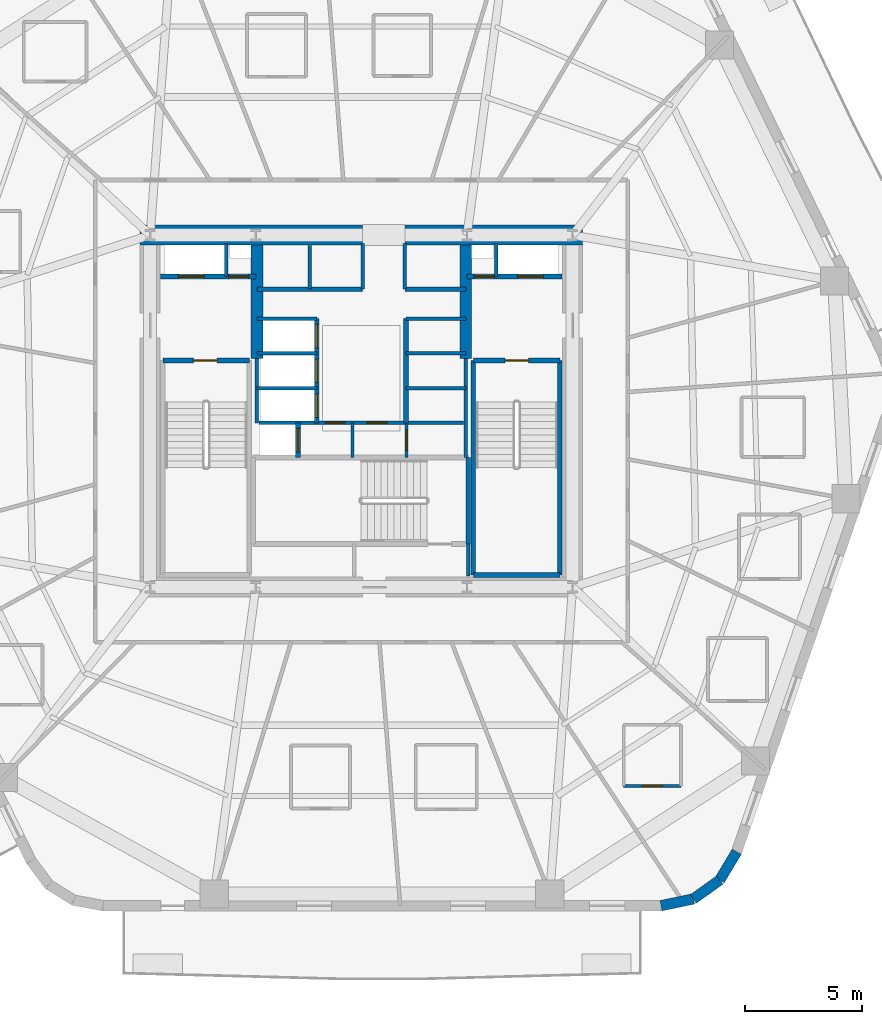
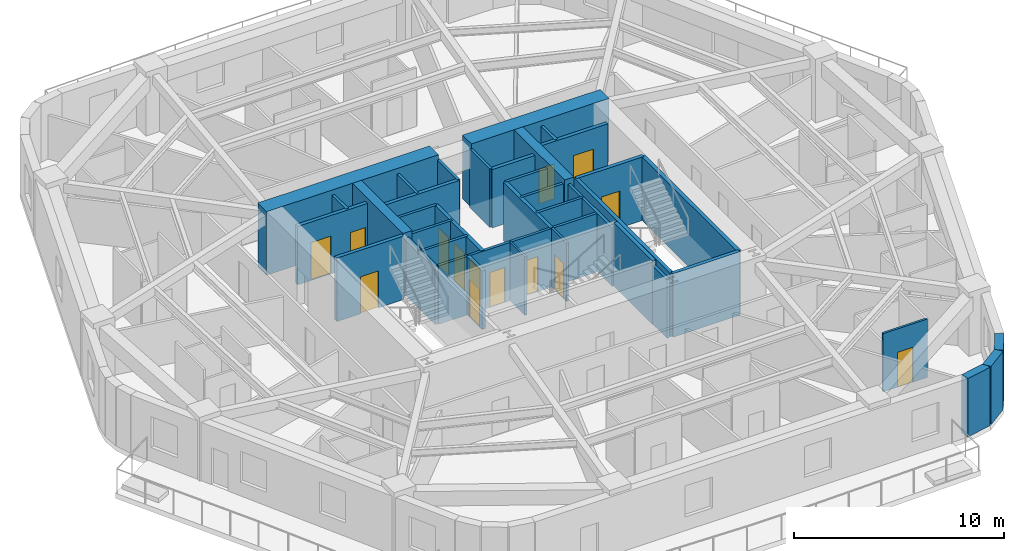
# One storey, part 4 of 10: 38 walls, 14 doors, 14 openings.
"""IFC4 building model written with IfcOpenShell, lengths in metres."""

from ifc_helpers import new_model, si_unit, direction, frame, frame_2d, origin, place, context, subcontext, project, spatial, rectangle, extrude, material, layer, layer_set, type_object, element, fill, save


model = new_model("IFC4")

# Units and contexts
model_context = context("Model", 3, precision=1e-05, world=origin(), true_north=direction((0.0, 1.0)))
body_context = subcontext(model_context, "Body", "Model", "MODEL_VIEW")
ifc_project = project(units=[si_unit("LENGTHUNIT", "METRE"), si_unit("AREAUNIT", "SQUARE_METRE"), si_unit("VOLUMEUNIT", "CUBIC_METRE"), si_unit("PLANEANGLEUNIT", "RADIAN"), si_unit("MASSUNIT", "GRAM", prefix="KILO")], contexts=[model_context])

# Site, building, storey
site_placement = place(None, origin())
site = spatial("IfcSite", under=ifc_project, at=site_placement, CompositionType="ELEMENT")
building_placement = place(site_placement, origin())
building = spatial("IfcBuilding", under=site, at=building_placement, Name="Kilnhurst Terrace Hotel", CompositionType="ELEMENT")
storey_placement = place(building_placement, frame((0.0, 0.0, 91.39990234375)))
storey = spatial("IfcBuildingStorey", under=building, at=storey_placement, Name="L21", CompositionType="ELEMENT", Elevation=91.39990234375)

# Walls
ifc_material_1 = material(Name="Precast concrete C40/50", Category="concrete")
ifc_layer_1 = layer(ifc_material_1, 0.449951171875, Name="Precast concrete C40/50")
ifc_layer_set_1 = layer_set([ifc_layer_1], Name="Precast concrete C40/50")
wall_type_1 = type_object("IfcWallType", Name="WL-BRK-450", PredefinedType="SOLIDWALL", material=ifc_layer_set_1)
wall_1_placement = place(storey_placement, frame((12.7705078125, -21.074951171875, 0.0), z_axis=(0.0, 0.0, 1.0), x_axis=(0.97874281988, 0.205091424819, 0.0)))
element("IfcWall", 1, at=wall_1_placement, inside=storey, type_object=wall_type_1, Name="L21 Rounded Corner Brick Wall C2.1", PredefinedType="SOLIDWALL", context=body_context, shape_type="SweptSolid", body=[
    extrude(rectangle(XDim=1.40576171875, YDim=0.449951171875, at=frame_2d((0.702880859375, 0.0))), origin(), (0.0, 0.0, 1.0), 3.400146484375),
])
wall_2_placement = place(storey_placement, frame((14.146484375, -20.78662109375, 0.0), z_axis=(0.0, 0.0, 1.0), x_axis=(0.814162929117, 0.580636482536, 0.0)))
element("IfcWall", 2, at=wall_2_placement, inside=storey, type_object=wall_type_1, Name="L21 Rounded Corner Brick Wall C2.2", PredefinedType="SOLIDWALL", context=body_context, shape_type="SweptSolid", body=[
    extrude(rectangle(XDim=1.382080078125, YDim=0.449951171875, at=frame_2d((0.69091796875, 0.0))), origin(), (0.0, 0.0, 1.0), 3.400146484375),
])
wall_3_placement = place(storey_placement, frame((15.271728515625, -19.984130859375, 0.0), z_axis=(0.0, 0.0, 1.0), x_axis=(0.512579347361, 0.858639862025, 0.0)))
element("IfcWall", 3, at=wall_3_placement, inside=storey, type_object=wall_type_1, Name="L21 Rounded Corner Brick Wall C2.3", PredefinedType="SOLIDWALL", context=body_context, shape_type="SweptSolid", body=[
    extrude(rectangle(XDim=1.406005859375, YDim=0.449951171875, at=frame_2d((0.703125, 0.0))), origin(), (0.0, 0.0, 1.0), 3.400146484375),
])
ifc_material_2 = material(Name="Concrete C80/95", Category="concrete")
ifc_layer_2 = layer(ifc_material_2, 0.85009765625, Name="Concrete C80/95")
ifc_layer_set_2 = layer_set([ifc_layer_2], Name="Concrete C80/95")
wall_type_2 = type_object("IfcWallType", Name="WL-CORE-850", PredefinedType="SHEAR", material=ifc_layer_set_2)
wall_4_placement = place(storey_placement, frame((-9.425048828125, 7.5, 0.0), z_axis=(0.0, 0.0, 1.0), x_axis=(1.0, 0.0, 0.0)))
element("IfcWall", 4, at=wall_4_placement, inside=storey, type_object=wall_type_2, Name="L21 Core North West Shear Wall", PredefinedType="SHEAR", context=body_context, shape_type="SweptSolid", body=[
    extrude(rectangle(XDim=9.47509765625, YDim=0.85009765625, at=frame_2d((4.737548828125, 0.0))), origin(), (0.0, 0.0, 1.0), 3.7001953125),
])
wall_5_placement = place(storey_placement, frame((1.85009765625, 7.5, 0.0), z_axis=(0.0, 0.0, 1.0), x_axis=(1.0, 0.0, 0.0)))
element("IfcWall", 5, at=wall_5_placement, inside=storey, type_object=wall_type_2, Name="L21 Core North East Shear Wall", PredefinedType="SHEAR", context=body_context, shape_type="SweptSolid", body=[
    extrude(rectangle(XDim=7.574951171875, YDim=0.85009765625, at=frame_2d((3.78759765625, 0.0))), origin(), (0.0, 0.0, 1.0), 3.7001953125),
])
ifc_material_3 = material(Name="Concrete C60/75", Category="concrete")
ifc_layer_3 = layer(ifc_material_3, 0.5, Name="Concrete C60/75")
ifc_layer_set_3 = layer_set([ifc_layer_3], Name="Concrete C60/75")
wall_type_3 = type_object("IfcWallType", Name="WL-CORE-WEB-500", PredefinedType="SHEAR", material=ifc_layer_set_3)
for number, where, z_axis, x_axis, name in (
    (6, (-4.449951171875, 2.25, 0.0), (0.0, 0.0, 1.0), (0.0, 1.0, 0.0), "L21 Core Internal West Shear Web"),
    (7, (4.449951171875, 2.25, 0.0), (0.0, 0.0, 1.0), (0.0, 1.0, 0.0), "L21 Core Internal East Shear Web"),
):
    element("IfcWall", number, at=place(storey_placement, frame(where, z_axis=z_axis, x_axis=x_axis)), inside=storey, type_object=wall_type_3, Name=name, PredefinedType="SHEAR", context=body_context, shape_type="SweptSolid", body=[
        extrude(rectangle(XDim=4.824951171875, YDim=0.5, at=frame_2d((2.41259765625, 0.0))), origin(), (0.0, 0.0, 1.0), 3.7001953125),
    ])
ifc_material_4 = material(Name="120 mm Moisture-Resistant Tile-Backed Bathroom Partition")
ifc_layer_4 = layer(ifc_material_4, 0.1201171875, Name="120 mm Moisture-Resistant Tile-Backed Bathroom Partition")
ifc_layer_set_4 = layer_set([ifc_layer_4], Name="120 mm Moisture-Resistant Tile-Backed Bathroom Partition")
wall_type_4 = type_object("IfcWallType", Name="WL-PART-120", PredefinedType="PARTITIONING", material=ifc_layer_set_4)
wall_6_placement = place(storey_placement, frame((-0.3798828125, -1.971923828125, 0.0), z_axis=(0.0, 0.0, 1.0), x_axis=(0.0, 1.0, 0.0)))
element("IfcWall", 8, at=wall_6_placement, inside=storey, type_object=wall_type_4, Name="L21 Interior Wall WL-L21-BOH-C1", PredefinedType="PARTITIONING", context=body_context, shape_type="SweptSolid", body=[
    extrude(rectangle(XDim=1.471923828125, YDim=0.1201171875, at=frame_2d((0.73583984375, 0.0))), origin(), (0.0, 0.0, 1.0), 3.400146484375),
])

# Wall, opening, door
wall_7_placement = place(storey_placement, frame((1.919921875, -1.971923828125, 0.0), z_axis=(0.0, 0.0, 1.0), x_axis=(0.0, 1.0, 0.0)))
wall_7 = element("IfcWall", 9, at=wall_7_placement, inside=storey, type_object=wall_type_4, Name="L21 Interior Wall WL-L21-BOH-C2", PredefinedType="PARTITIONING", context=body_context, shape_type="SweptSolid", body=[
    extrude(rectangle(XDim=1.471923828125, YDim=0.1201171875, at=frame_2d((0.73583984375, 0.0))), origin(), (0.0, 0.0, 1.0), 3.400146484375),
])
opening_1_placement = place(wall_7_placement, frame((0.300048828125, 0.0, 0.0)))
opening_1 = element("IfcOpeningElement", 10, at=opening_1_placement, cuts=wall_7, Name="Opening D-08A", PredefinedType="OPENING", context=body_context, shape_type="SweptSolid", body=[
    extrude(rectangle(XDim=0.85009765625, YDim=2.030029296875, at=frame_2d((0.425048828125, 1.01513671875))), frame((0.0, 0.070068359375, 0.0), z_axis=(0.0, -1.0, 0.0), x_axis=(1.0, 0.0, 0.0)), (0.0, 0.0, 1.0), 0.14013671875),
])
ifc_material_5 = material(Name="Moisture-Resistant Lacquered En-suite Bathroom Door")
door_type_1 = type_object("IfcDoorType", Name="DR-INT-850", OperationType="NOTDEFINED", PredefinedType="DOOR", material=ifc_material_5)
door_1_placement = place(opening_1_placement, origin())
door_1 = element("IfcDoor", 11, at=door_1_placement, inside=storey, type_object=door_type_1, Name="L21 Staff Restroom Door", OperationType="SINGLE_SWING_RIGHT", OverallHeight=2.030029296875, OverallWidth=0.85009765625, PredefinedType="DOOR", context=body_context, shape_type="SweptSolid", body=[
    extrude(rectangle(XDim=0.85009765625, YDim=2.030029296875, at=frame_2d((0.425048828125, 1.01513671875))), frame((0.0, 0.02490234375, 0.0), z_axis=(0.0, -1.0, 0.0), x_axis=(1.0, 0.0, 0.0)), (0.0, 0.0, 1.0), 0.050048828125),
])
fill(opening_1, door_1)

wall_8_placement = place(storey_placement, frame((11.177978515625, -15.97412109375, 0.0), z_axis=(0.0, 0.0, 1.0), x_axis=(1.0, 0.0, 0.0)))
wall_8 = element("IfcWall", 12, at=wall_8_placement, inside=storey, type_object=wall_type_4, Name="L21 Interior Wall WL-L21-BTH-17-1", PredefinedType="PARTITIONING", context=body_context, shape_type="SweptSolid", body=[
    extrude(rectangle(XDim=2.43994140625, YDim=0.1201171875, at=frame_2d((1.219970703125, 0.0))), origin(), (0.0, 0.0, 1.0), 3.400146484375),
])
opening_2_placement = place(wall_8_placement, frame((0.794921875, 0.0, 0.0)))
opening_2 = element("IfcOpeningElement", 13, at=opening_2_placement, cuts=wall_8, Name="Opening D-08A", PredefinedType="OPENING", context=body_context, shape_type="SweptSolid", body=[
    extrude(rectangle(XDim=0.85009765625, YDim=2.030029296875, at=frame_2d((0.425048828125, 1.01513671875))), frame((0.0, 0.070068359375, 0.0), z_axis=(0.0, -1.0, 0.0), x_axis=(1.0, 0.0, 0.0)), (0.0, 0.0, 1.0), 0.14013671875),
])
door_2_placement = place(opening_2_placement, origin())
door_2 = element("IfcDoor", 14, at=door_2_placement, inside=storey, type_object=door_type_1, Name="L21 En-suite Bathroom Door 17", OperationType="SINGLE_SWING_RIGHT", OverallHeight=2.030029296875, OverallWidth=0.85009765625, PredefinedType="DOOR", context=body_context, shape_type="SweptSolid", body=[
    extrude(rectangle(XDim=0.85009765625, YDim=2.030029296875, at=frame_2d((0.425048828125, 1.01513671875))), frame((0.0, 0.02490234375, 0.0), z_axis=(0.0, -1.0, 0.0), x_axis=(1.0, 0.0, 0.0)), (0.0, 0.0, 1.0), 0.050048828125),
])
fill(opening_2, door_2)

# Walls
ifc_material_6 = material(Name="Fire-Rated Gypsum Shaftliner Assembly")
ifc_layer_5 = layer(ifc_material_6, 0.14990234375, Name="Fire-Rated Gypsum Shaftliner Assembly")
ifc_layer_set_5 = layer_set([ifc_layer_5], Name="Fire-Rated Gypsum Shaftliner Assembly")
wall_type_5 = type_object("IfcWallType", Name="WL-SHAFT-150", PredefinedType="PARTITIONING", material=ifc_layer_set_5)
wall_9_placement = place(storey_placement, frame((4.55810546875, -7.02001953125, 0.0), z_axis=(0.0, 0.0, 1.0), x_axis=(0.0, 1.0, 0.0)))
element("IfcWall", 15, at=wall_9_placement, inside=storey, type_object=wall_type_5, Name="L21 Interior Wall WL-L21-ST3-PSGE", PredefinedType="PARTITIONING", context=body_context, shape_type="SweptSolid", body=[
    extrude(rectangle(XDim=1.362060546875, YDim=0.14990234375, at=frame_2d((0.68115234375, 0.0))), origin(), (0.0, 0.0, 1.0), 3.400146484375),
])
for number, where, z_axis, x_axis, name in (
    (16, (-5.75, 5.739990234375, 0.0), (0.0, 0.0, 1.0), (0.0, 1.0, 0.0), "L21 Interior Wall WL-L21-RIS1-DIV"),
    (17, (5.75, 5.739990234375, 0.0), (0.0, 0.0, 1.0), (0.0, 1.0, 0.0), "L21 Interior Wall WL-L21-RIS2-DIV"),
):
    element("IfcWall", number, at=place(storey_placement, frame(where, z_axis=z_axis, x_axis=x_axis)), inside=storey, type_object=wall_type_5, Name=name, PredefinedType="PARTITIONING", context=body_context, shape_type="SweptSolid", body=[
        extrude(rectangle(XDim=1.409912109375, YDim=0.14990234375, at=frame_2d((0.705078125, 0.0))), origin(), (0.0, 0.0, 1.0), 3.400146484375),
    ])
wall_10_placement = place(storey_placement, frame((-2.199951171875, 5.199951171875, 0.0), z_axis=(0.0, 0.0, 1.0), x_axis=(0.0, 1.0, 0.0)))
element("IfcWall", 18, at=wall_10_placement, inside=storey, type_object=wall_type_5, Name="L21 Interior Wall WL-L21-HR-DIV1", PredefinedType="PARTITIONING", context=body_context, shape_type="SweptSolid", body=[
    extrude(rectangle(XDim=1.85009765625, YDim=0.14990234375, at=frame_2d((0.925048828125, 0.0))), origin(), (0.0, 0.0, 1.0), 3.400146484375),
])
for number, where, z_axis, x_axis, name in (
    (19, (0.050048828125, 5.199951171875, 0.0), (0.0, 0.0, 1.0), (0.0, 1.0, 0.0), "L21 Interior Wall WL-L21-HR-PORTAL-W"),
    (20, (1.85009765625, 5.199951171875, 0.0), (0.0, 0.0, 1.0), (0.0, 1.0, 0.0), "L21 Interior Wall WL-L21-HR-PORTAL-E"),
):
    element("IfcWall", number, at=place(storey_placement, frame(where, z_axis=z_axis, x_axis=x_axis)), inside=storey, type_object=wall_type_5, Name=name, PredefinedType="PARTITIONING", context=body_context, shape_type="SweptSolid", body=[
        extrude(rectangle(XDim=1.949951171875, YDim=0.14990234375, at=frame_2d((0.97509765625, 0.0))), origin(), (0.0, 0.0, 1.0), 3.400146484375),
    ])
wall_11_placement = place(storey_placement, frame((-4.449951171875, -0.5, 0.0), z_axis=(0.0, 0.0, 1.0), x_axis=(0.0, 1.0, 0.0)))
element("IfcWall", 21, at=wall_11_placement, inside=storey, type_object=wall_type_5, Name="L21 Interior Wall WL-L21-XLOB-W", PredefinedType="PARTITIONING", context=body_context, shape_type="SweptSolid", body=[
    extrude(rectangle(XDim=2.75, YDim=0.14990234375, at=frame_2d((1.375, 0.0))), origin(), (0.0, 0.0, 1.0), 3.400146484375),
])
wall_12_placement = place(storey_placement, frame((4.449951171875, -1.971923828125, 0.0), z_axis=(0.0, 0.0, 1.0), x_axis=(0.0, 1.0, 0.0)))
element("IfcWall", 22, at=wall_12_placement, inside=storey, type_object=wall_type_5, Name="L21 Interior Wall WL-L21-XLOB-E", PredefinedType="PARTITIONING", context=body_context, shape_type="SweptSolid", body=[
    extrude(rectangle(XDim=4.221923828125, YDim=0.14990234375, at=frame_2d((2.11083984375, 0.0))), origin(), (0.0, 0.0, 1.0), 3.400146484375),
])
for number, where, z_axis, x_axis, name in (
    (23, (-4.449951171875, 3.93994140625, 0.0), (0.0, 0.0, 1.0), (1.0, 0.0, 0.0), "L21 Interior Wall WL-L21-LR-NORTH"),
    (24, (-4.449951171875, 0.97998046875, 0.0), (0.0, 0.0, 1.0), (1.0, 0.0, 0.0), "L21 Interior Wall WL-L21-LR-D1"),
    (25, (-4.449951171875, 2.4599609375, 0.0), (0.0, 0.0, 1.0), (1.0, 0.0, 0.0), "L21 Interior Wall WL-L21-LR-D2"),
    (26, (1.89990234375, 3.93994140625, 0.0), (0.0, 0.0, 1.0), (1.0, 0.0, 0.0), "L21 Interior Wall WL-L21-MR-NORTH"),
    (27, (1.89990234375, 0.97998046875, 0.0), (0.0, 0.0, 1.0), (1.0, 0.0, 0.0), "L21 Interior Wall WL-L21-MR-D1"),
    (28, (1.89990234375, 2.4599609375, 0.0), (0.0, 0.0, 1.0), (1.0, 0.0, 0.0), "L21 Interior Wall WL-L21-MR-D2"),
):
    element("IfcWall", number, at=place(storey_placement, frame(where, z_axis=z_axis, x_axis=x_axis)), inside=storey, type_object=wall_type_5, Name=name, PredefinedType="PARTITIONING", context=body_context, shape_type="SweptSolid", body=[
        extrude(rectangle(XDim=2.550048828125, YDim=0.14990234375, at=frame_2d((1.27490234375, 0.0))), origin(), (0.0, 0.0, 1.0), 3.400146484375),
    ])

# Wall, openings, doors
wall_13_placement = place(storey_placement, frame((-4.360107421875, -0.489990234375, 0.0), z_axis=(0.0, 0.0, 1.0), x_axis=(1.0, 0.0, 0.0)))
wall_13 = element("IfcWall", 29, at=wall_13_placement, inside=storey, type_object=wall_type_5, Name="L21 Interior Wall WL-L21-BOH-N", PredefinedType="PARTITIONING", context=body_context, shape_type="SweptSolid", body=[
    extrude(rectangle(XDim=8.72021484375, YDim=0.14990234375, at=frame_2d((4.360107421875, 0.0))), origin(), (0.0, 0.0, 1.0), 3.400146484375),
])
opening_3_placement = place(wall_13_placement, frame((2.81005859375, 0.0, 0.0)))
opening_3 = element("IfcOpeningElement", 30, at=opening_3_placement, cuts=wall_13, Name="Opening D-60D", PredefinedType="OPENING", context=body_context, shape_type="SweptSolid", body=[
    extrude(rectangle(XDim=0.85009765625, YDim=2.030029296875, at=frame_2d((0.425048828125, 1.01513671875))), frame((0.0, 0.0849609375, 0.0), z_axis=(0.0, -1.0, 0.0), x_axis=(1.0, 0.0, 0.0)), (0.0, 0.0, 1.0), 0.169921875),
])
opening_4_placement = place(wall_13_placement, frame((4.610107421875, 0.0, 0.0)))
opening_4 = element("IfcOpeningElement", 31, at=opening_4_placement, cuts=wall_13, Name="Opening D-60D", PredefinedType="OPENING", context=body_context, shape_type="SweptSolid", body=[
    extrude(rectangle(XDim=0.85009765625, YDim=2.030029296875, at=frame_2d((0.425048828125, 1.01513671875))), frame((0.0, 0.0849609375, 0.0), z_axis=(0.0, -1.0, 0.0), x_axis=(1.0, 0.0, 0.0)), (0.0, 0.0, 1.0), 0.169921875),
])
ifc_material_7 = material(Name="Painted Hollow Metal Steel ASTM A36 Riser Door", Category="steel")
door_type_2 = type_object("IfcDoorType", Name="DR-FD60-850", OperationType="NOTDEFINED", PredefinedType="DOOR", material=ifc_material_7)
door_3_placement = place(opening_3_placement, origin())
door_3 = element("IfcDoor", 32, at=door_3_placement, inside=storey, type_object=door_type_2, Name="L21 Housekeeping Station Door", OperationType="SINGLE_SWING_LEFT", OverallHeight=2.030029296875, OverallWidth=0.85009765625, PredefinedType="DOOR", context=body_context, shape_type="SweptSolid", body=[
    extrude(rectangle(XDim=0.85009765625, YDim=2.030029296875, at=frame_2d((0.425048828125, 1.01513671875))), frame((0.0, 0.02490234375, 0.0), z_axis=(0.0, -1.0, 0.0), x_axis=(1.0, 0.0, 0.0)), (0.0, 0.0, 1.0), 0.050048828125),
])
fill(opening_3, door_3)
door_4_placement = place(opening_4_placement, origin())
door_4 = element("IfcDoor", 33, at=door_4_placement, inside=storey, type_object=door_type_2, Name="L21 Beverage Pantry Door", OperationType="SINGLE_SWING_RIGHT", OverallHeight=2.030029296875, OverallWidth=0.85009765625, PredefinedType="DOOR", context=body_context, shape_type="SweptSolid", body=[
    extrude(rectangle(XDim=0.85009765625, YDim=2.030029296875, at=frame_2d((0.425048828125, 1.01513671875))), frame((0.0, 0.02490234375, 0.0), z_axis=(0.0, -1.0, 0.0), x_axis=(1.0, 0.0, 0.0)), (0.0, 0.0, 1.0), 0.050048828125),
])
fill(opening_4, door_4)

ifc_material_8 = material(Name="Autoclaved Aerated Concrete C30/37 and Gypsum Shaft Assembly", Category="concrete")
ifc_layer_6 = layer(ifc_material_8, 0.199951171875, Name="Autoclaved Aerated Concrete C30/37 and Gypsum Shaft Assembly")
ifc_layer_set_6 = layer_set([ifc_layer_6], Name="Autoclaved Aerated Concrete C30/37 and Gypsum Shaft Assembly")
wall_type_6 = type_object("IfcWallType", Name="WL-SHAFT-200", PredefinedType="PARTITIONING", material=ifc_layer_set_6)
wall_14_placement = place(storey_placement, frame((-8.550048828125, 5.739990234375, 0.0), z_axis=(0.0, 0.0, 1.0), x_axis=(1.0, 0.0, 0.0)))
wall_14 = element("IfcWall", 34, at=wall_14_placement, inside=storey, type_object=wall_type_6, Name="L21 Interior Wall WL-L21-FSAE1-S", PredefinedType="PARTITIONING", context=body_context, shape_type="SweptSolid", body=[
    extrude(rectangle(XDim=4.050048828125, YDim=0.199951171875, at=frame_2d((2.02490234375, 0.0))), origin(), (0.0, 0.0, 1.0), 3.400146484375),
])
opening_5_placement = place(wall_14_placement, frame((0.75, 0.0, 0.0)))
opening_5 = element("IfcOpeningElement", 35, at=opening_5_placement, cuts=wall_14, Name="Opening LD-F1", PredefinedType="OPENING", context=body_context, shape_type="SweptSolid", body=[
    extrude(rectangle(XDim=1.10009765625, YDim=2.199951171875, at=frame_2d((0.550048828125, 1.10009765625))), frame((0.0, 0.10986328125, 0.0), z_axis=(0.0, -1.0, 0.0), x_axis=(1.0, 0.0, 0.0)), (0.0, 0.0, 1.0), 0.219970703125),
])
opening_6_placement = place(wall_14_placement, frame((2.89990234375, 0.0, 0.0)))
opening_6 = element("IfcOpeningElement", 36, at=opening_6_placement, cuts=wall_14, Name="Opening D-60D", PredefinedType="OPENING", context=body_context, shape_type="SweptSolid", body=[
    extrude(rectangle(XDim=0.85009765625, YDim=2.030029296875, at=frame_2d((0.425048828125, 1.01513671875))), frame((0.0, 0.10986328125, 0.0), z_axis=(0.0, -1.0, 0.0), x_axis=(1.0, 0.0, 0.0)), (0.0, 0.0, 1.0), 0.219970703125),
])
door_5_placement = place(opening_6_placement, origin())
door_5 = element("IfcDoor", 37, at=door_5_placement, inside=storey, type_object=door_type_2, Name="L21 Electrical Riser Door", OperationType="SINGLE_SWING_LEFT", OverallHeight=2.030029296875, OverallWidth=0.85009765625, PredefinedType="DOOR", context=body_context, shape_type="SweptSolid", body=[
    extrude(rectangle(XDim=0.85009765625, YDim=2.030029296875, at=frame_2d((0.425048828125, 1.01513671875))), frame((0.0, 0.02490234375, 0.0), z_axis=(0.0, -1.0, 0.0), x_axis=(1.0, 0.0, 0.0)), (0.0, 0.0, 1.0), 0.050048828125),
])
fill(opening_6, door_5)
ifc_material_9 = material(Name="Bronze-Anodized Stainless Steel AISI 316L Sliding Door", Category="steel")
door_type_3 = type_object("IfcDoorType", Name="DR-LIFT-1100", OperationType="NOTDEFINED", PredefinedType="DOOR", material=ifc_material_9)
door_6_placement = place(opening_5_placement, origin())
door_6 = element("IfcDoor", 38, at=door_6_placement, inside=storey, type_object=door_type_3, Name="L21 FSAE-1 Landing Door", OperationType="SLIDING_TO_LEFT", OverallHeight=2.199951171875, OverallWidth=1.10009765625, PredefinedType="DOOR", context=body_context, shape_type="SweptSolid", body=[
    extrude(rectangle(XDim=1.10009765625, YDim=2.199951171875, at=frame_2d((0.550048828125, 1.10009765625))), frame((0.0, 0.02490234375, 0.0), z_axis=(0.0, -1.0, 0.0), x_axis=(1.0, 0.0, 0.0)), (0.0, 0.0, 1.0), 0.050048828125),
])
fill(opening_5, door_6)

wall_15_placement = place(storey_placement, frame((4.5, 5.739990234375, 0.0), z_axis=(0.0, 0.0, 1.0), x_axis=(1.0, 0.0, 0.0)))
wall_15 = element("IfcWall", 39, at=wall_15_placement, inside=storey, type_object=wall_type_6, Name="L21 Interior Wall WL-L21-FSAE2-S", PredefinedType="PARTITIONING", context=body_context, shape_type="SweptSolid", body=[
    extrude(rectangle(XDim=4.050048828125, YDim=0.199951171875, at=frame_2d((2.02490234375, 0.0))), origin(), (0.0, 0.0, 1.0), 3.400146484375),
])
opening_7_placement = place(wall_15_placement, frame((0.300048828125, 0.0, 0.0)))
opening_7 = element("IfcOpeningElement", 40, at=opening_7_placement, cuts=wall_15, Name="Opening D-60D", PredefinedType="OPENING", context=body_context, shape_type="SweptSolid", body=[
    extrude(rectangle(XDim=0.85009765625, YDim=2.030029296875, at=frame_2d((0.425048828125, 1.01513671875))), frame((0.0, 0.10986328125, 0.0), z_axis=(0.0, -1.0, 0.0), x_axis=(1.0, 0.0, 0.0)), (0.0, 0.0, 1.0), 0.219970703125),
])
opening_8_placement = place(wall_15_placement, frame((2.14990234375, 0.0, 0.0)))
opening_8 = element("IfcOpeningElement", 41, at=opening_8_placement, cuts=wall_15, Name="Opening LD-F2", PredefinedType="OPENING", context=body_context, shape_type="SweptSolid", body=[
    extrude(rectangle(XDim=1.10009765625, YDim=2.199951171875, at=frame_2d((0.550048828125, 1.10009765625))), frame((0.0, 0.10986328125, 0.0), z_axis=(0.0, -1.0, 0.0), x_axis=(1.0, 0.0, 0.0)), (0.0, 0.0, 1.0), 0.219970703125),
])
door_7_placement = place(opening_7_placement, origin())
door_7 = element("IfcDoor", 42, at=door_7_placement, inside=storey, type_object=door_type_2, Name="L21 Telecom Riser Door", OperationType="SINGLE_SWING_RIGHT", OverallHeight=2.030029296875, OverallWidth=0.85009765625, PredefinedType="DOOR", context=body_context, shape_type="SweptSolid", body=[
    extrude(rectangle(XDim=0.85009765625, YDim=2.030029296875, at=frame_2d((0.425048828125, 1.01513671875))), frame((0.0, 0.02490234375, 0.0), z_axis=(0.0, -1.0, 0.0), x_axis=(1.0, 0.0, 0.0)), (0.0, 0.0, 1.0), 0.050048828125),
])
fill(opening_7, door_7)
door_8_placement = place(opening_8_placement, origin())
door_8 = element("IfcDoor", 43, at=door_8_placement, inside=storey, type_object=door_type_3, Name="L21 FSAE-2 Landing Door", OperationType="SLIDING_TO_RIGHT", OverallHeight=2.199951171875, OverallWidth=1.10009765625, PredefinedType="DOOR", context=body_context, shape_type="SweptSolid", body=[
    extrude(rectangle(XDim=1.10009765625, YDim=2.199951171875, at=frame_2d((0.550048828125, 1.10009765625))), frame((0.0, 0.02490234375, 0.0), z_axis=(0.0, -1.0, 0.0), x_axis=(1.0, 0.0, 0.0)), (0.0, 0.0, 1.0), 0.050048828125),
])
fill(opening_8, door_8)

# Wall, opening, door
wall_16_placement = place(storey_placement, frame((-2.699951171875, -1.971923828125, 0.0), z_axis=(0.0, 0.0, 1.0), x_axis=(0.0, 1.0, 0.0)))
wall_16 = element("IfcWall", 44, at=wall_16_placement, inside=storey, type_object=wall_type_6, Name="L21 Interior Wall WL-L21-SRV1-E", PredefinedType="PARTITIONING", context=body_context, shape_type="SweptSolid", body=[
    extrude(rectangle(XDim=1.471923828125, YDim=0.199951171875, at=frame_2d((0.73583984375, 0.0))), origin(), (0.0, 0.0, 1.0), 3.400146484375),
])
opening_9_placement = place(wall_16_placement, frame((0.239990234375, 0.0, 0.0)))
opening_9 = element("IfcOpeningElement", 45, at=opening_9_placement, cuts=wall_16, Name="Opening LD-SV", PredefinedType="OPENING", context=body_context, shape_type="SweptSolid", body=[
    extrude(rectangle(XDim=1.0, YDim=2.199951171875, at=frame_2d((0.5, 1.10009765625))), frame((0.0, 0.10986328125, 0.0), z_axis=(0.0, -1.0, 0.0), x_axis=(1.0, 0.0, 0.0)), (0.0, 0.0, 1.0), 0.219970703125),
])
door_type_4 = type_object("IfcDoorType", Name="DR-LIFT-1000", OperationType="NOTDEFINED", PredefinedType="DOOR", material=ifc_material_9)
door_9_placement = place(opening_9_placement, origin())
door_9 = element("IfcDoor", 46, at=door_9_placement, inside=storey, type_object=door_type_4, Name="L21 Service Lift SRV-1 Landing Door", OperationType="SLIDING_TO_LEFT", OverallHeight=2.199951171875, OverallWidth=1.0, PredefinedType="DOOR", context=body_context, shape_type="SweptSolid", body=[
    extrude(rectangle(XDim=1.0, YDim=2.199951171875, at=frame_2d((0.5, 1.10009765625))), frame((0.0, 0.02490234375, 0.0), z_axis=(0.0, -1.0, 0.0), x_axis=(1.0, 0.0, 0.0)), (0.0, 0.0, 1.0), 0.050048828125),
])
fill(opening_9, door_9)

# Walls
wall_17_placement = place(storey_placement, frame((-4.449951171875, 5.199951171875, 0.0), z_axis=(0.0, 0.0, 1.0), x_axis=(1.0, 0.0, 0.0)))
element("IfcWall", 47, at=wall_17_placement, inside=storey, type_object=wall_type_6, Name="L21 Interior Wall WL-L21-HR-SW", PredefinedType="PARTITIONING", context=body_context, shape_type="SweptSolid", body=[
    extrude(rectangle(XDim=4.5, YDim=0.199951171875, at=frame_2d((2.25, 0.0))), origin(), (0.0, 0.0, 1.0), 3.400146484375),
])
wall_18_placement = place(storey_placement, frame((1.85009765625, 5.199951171875, 0.0), z_axis=(0.0, 0.0, 1.0), x_axis=(1.0, 0.0, 0.0)))
element("IfcWall", 48, at=wall_18_placement, inside=storey, type_object=wall_type_6, Name="L21 Interior Wall WL-L21-HR-SE", PredefinedType="PARTITIONING", context=body_context, shape_type="SweptSolid", body=[
    extrude(rectangle(XDim=2.599853515625, YDim=0.199951171875, at=frame_2d((1.2998046875, 0.0))), origin(), (0.0, 0.0, 1.0), 3.400146484375),
])

# Wall, openings, doors
wall_19_placement = place(storey_placement, frame((-1.89990234375, -0.5, 0.0), z_axis=(0.0, 0.0, 1.0), x_axis=(0.0, 1.0, 0.0)))
wall_19 = element("IfcWall", 49, at=wall_19_placement, inside=storey, type_object=wall_type_6, Name="L21 Interior Wall WL-L21-LR-FRONT", PredefinedType="PARTITIONING", context=body_context, shape_type="SweptSolid", body=[
    extrude(rectangle(XDim=4.43994140625, YDim=0.199951171875, at=frame_2d((2.219970703125, 0.0))), origin(), (0.0, 0.0, 1.0), 3.400146484375),
])
opening_10_placement = place(wall_19_placement, frame((0.239990234375, 0.0, 0.0)))
opening_10 = element("IfcOpeningElement", 50, at=opening_10_placement, cuts=wall_19, Name="Opening LD-LR", PredefinedType="OPENING", context=body_context, shape_type="SweptSolid", body=[
    extrude(rectangle(XDim=1.0, YDim=2.199951171875, at=frame_2d((0.5, 1.10009765625))), frame((0.0, 0.10986328125, 0.0), z_axis=(0.0, -1.0, 0.0), x_axis=(1.0, 0.0, 0.0)), (0.0, 0.0, 1.0), 0.219970703125),
])
opening_11_placement = place(wall_19_placement, frame((1.719970703125, 0.0, 0.0)))
opening_11 = element("IfcOpeningElement", 51, at=opening_11_placement, cuts=wall_19, Name="Opening LD-LR", PredefinedType="OPENING", context=body_context, shape_type="SweptSolid", body=[
    extrude(rectangle(XDim=1.0, YDim=2.199951171875, at=frame_2d((0.5, 1.10009765625))), frame((0.0, 0.10986328125, 0.0), z_axis=(0.0, -1.0, 0.0), x_axis=(1.0, 0.0, 0.0)), (0.0, 0.0, 1.0), 0.219970703125),
])
opening_12_placement = place(wall_19_placement, frame((3.199951171875, 0.0, 0.0)))
opening_12 = element("IfcOpeningElement", 52, at=opening_12_placement, cuts=wall_19, Name="Opening LD-LR", PredefinedType="OPENING", context=body_context, shape_type="SweptSolid", body=[
    extrude(rectangle(XDim=1.0, YDim=2.199951171875, at=frame_2d((0.5, 1.10009765625))), frame((0.0, 0.10986328125, 0.0), z_axis=(0.0, -1.0, 0.0), x_axis=(1.0, 0.0, 0.0)), (0.0, 0.0, 1.0), 0.219970703125),
])
door_10_placement = place(opening_10_placement, origin())
door_10 = element("IfcDoor", 53, at=door_10_placement, inside=storey, type_object=door_type_4, Name="L21 Low Rise Lift LR-1 Landing Door", OperationType="SLIDING_TO_LEFT", OverallHeight=2.199951171875, OverallWidth=1.0, PredefinedType="DOOR", context=body_context, shape_type="SweptSolid", body=[
    extrude(rectangle(XDim=1.0, YDim=2.199951171875, at=frame_2d((0.5, 1.10009765625))), frame((0.0, 0.02490234375, 0.0), z_axis=(0.0, -1.0, 0.0), x_axis=(1.0, 0.0, 0.0)), (0.0, 0.0, 1.0), 0.050048828125),
])
fill(opening_10, door_10)
door_11_placement = place(opening_11_placement, origin())
door_11 = element("IfcDoor", 54, at=door_11_placement, inside=storey, type_object=door_type_4, Name="L21 Low Rise Lift LR-2 Landing Door", OperationType="SLIDING_TO_LEFT", OverallHeight=2.199951171875, OverallWidth=1.0, PredefinedType="DOOR", context=body_context, shape_type="SweptSolid", body=[
    extrude(rectangle(XDim=1.0, YDim=2.199951171875, at=frame_2d((0.5, 1.10009765625))), frame((0.0, 0.02490234375, 0.0), z_axis=(0.0, -1.0, 0.0), x_axis=(1.0, 0.0, 0.0)), (0.0, 0.0, 1.0), 0.050048828125),
])
fill(opening_11, door_11)
door_12_placement = place(opening_12_placement, origin())
door_12 = element("IfcDoor", 55, at=door_12_placement, inside=storey, type_object=door_type_4, Name="L21 Low Rise Lift LR-3 Landing Door", OperationType="SLIDING_TO_LEFT", OverallHeight=2.199951171875, OverallWidth=1.0, PredefinedType="DOOR", context=body_context, shape_type="SweptSolid", body=[
    extrude(rectangle(XDim=1.0, YDim=2.199951171875, at=frame_2d((0.5, 1.10009765625))), frame((0.0, 0.02490234375, 0.0), z_axis=(0.0, -1.0, 0.0), x_axis=(1.0, 0.0, 0.0)), (0.0, 0.0, 1.0), 0.050048828125),
])
fill(opening_12, door_12)

# Wall
wall_20_placement = place(storey_placement, frame((1.89990234375, -0.5, 0.0), z_axis=(0.0, 0.0, 1.0), x_axis=(0.0, 1.0, 0.0)))
element("IfcWall", 56, at=wall_20_placement, inside=storey, type_object=wall_type_6, Name="L21 Interior Wall WL-L21-MR-FRONT", PredefinedType="PARTITIONING", context=body_context, shape_type="SweptSolid", body=[
    extrude(rectangle(XDim=4.43994140625, YDim=0.199951171875, at=frame_2d((2.219970703125, 0.0))), origin(), (0.0, 0.0, 1.0), 3.400146484375),
])

# Wall, opening, door
ifc_material_10 = material(Name="Concrete C50/60", Category="concrete")
ifc_layer_7 = layer(ifc_material_10, 0.199951171875, Name="Concrete C50/60")
ifc_layer_set_7 = layer_set([ifc_layer_7], Name="Concrete C50/60")
wall_type_7 = type_object("IfcWallType", Name="WL-STAIR-RC-200", PredefinedType="SHEAR", material=ifc_layer_set_7)
wall_21_placement = place(storey_placement, frame((-8.4580078125, 2.157958984375, 0.0), z_axis=(0.0, 0.0, 1.0), x_axis=(1.0, 0.0, 0.0)))
wall_21 = element("IfcWall", 57, at=wall_21_placement, inside=storey, type_object=wall_type_7, Name="L21 Structural Stair Shaft Wall WL-L21-ST1-N", PredefinedType="SHEAR", context=body_context, shape_type="SweptSolid", body=[
    extrude(rectangle(XDim=3.68603515625, YDim=0.199951171875, at=frame_2d((1.843017578125, 0.0))), origin(), (0.0, 0.0, 1.0), 3.7001953125),
])
opening_13_placement = place(wall_21_placement, frame((1.300048828125, 0.0, 0.0)))
opening_13 = element("IfcOpeningElement", 58, at=opening_13_placement, cuts=wall_21, Name="Opening D-90B", PredefinedType="OPENING", context=body_context, shape_type="SweptSolid", body=[
    extrude(rectangle(XDim=1.0, YDim=2.14990234375, at=frame_2d((0.5, 1.074951171875))), frame((0.0, 0.10986328125, 0.0), z_axis=(0.0, -1.0, 0.0), x_axis=(1.0, 0.0, 0.0)), (0.0, 0.0, 1.0), 0.219970703125),
])
ifc_material_11 = material(Name="Painted Hollow Metal Steel ASTM A36 Fire Door", Category="steel")
door_type_5 = type_object("IfcDoorType", Name="DR-FD90-1000", OperationType="NOTDEFINED", PredefinedType="DOOR", material=ifc_material_11)
door_13_placement = place(opening_13_placement, origin())
door_13 = element("IfcDoor", 59, at=door_13_placement, inside=storey, type_object=door_type_5, Name="L21 Stair ST-1 Door", OperationType="SINGLE_SWING_LEFT", OverallHeight=2.14990234375, OverallWidth=1.0, PredefinedType="DOOR", context=body_context, shape_type="SweptSolid", body=[
    extrude(rectangle(XDim=1.0, YDim=2.14990234375, at=frame_2d((0.5, 1.074951171875))), frame((0.0, 0.02490234375, 0.0), z_axis=(0.0, -1.0, 0.0), x_axis=(1.0, 0.0, 0.0)), (0.0, 0.0, 1.0), 0.050048828125),
])
fill(opening_13, door_13)

# Walls
for number, where, z_axis, x_axis, name in (
    (60, (4.77197265625, -6.985107421875, 0.0), (0.0, 0.0, 1.0), (0.0, 1.0, 0.0), "L21 Structural Stair Shaft Wall WL-L21-ST2-W"),
    (61, (8.4580078125, -6.985107421875, 0.0), (0.0, 0.0, 1.0), (0.0, 1.0, 0.0), "L21 Structural Stair Shaft Wall WL-L21-ST2-E"),
):
    element("IfcWall", number, at=place(storey_placement, frame(where, z_axis=z_axis, x_axis=x_axis)), inside=storey, type_object=wall_type_7, Name=name, PredefinedType="SHEAR", context=body_context, shape_type="SweptSolid", body=[
        extrude(rectangle(XDim=9.14306640625, YDim=0.199951171875, at=frame_2d((4.571533203125, 0.0))), origin(), (0.0, 0.0, 1.0), 3.7001953125),
    ])
wall_22_placement = place(storey_placement, frame((4.77197265625, -6.985107421875, 0.0), z_axis=(0.0, 0.0, 1.0), x_axis=(1.0, 0.0, 0.0)))
element("IfcWall", 62, at=wall_22_placement, inside=storey, type_object=wall_type_7, Name="L21 Structural Stair Shaft Wall WL-L21-ST2-S", PredefinedType="SHEAR", context=body_context, shape_type="SweptSolid", body=[
    extrude(rectangle(XDim=3.68603515625, YDim=0.199951171875, at=frame_2d((1.843017578125, 0.0))), origin(), (0.0, 0.0, 1.0), 3.7001953125),
])

# Wall, opening, door
wall_23_placement = place(storey_placement, frame((4.77197265625, 2.157958984375, 0.0), z_axis=(0.0, 0.0, 1.0), x_axis=(1.0, 0.0, 0.0)))
wall_23 = element("IfcWall", 63, at=wall_23_placement, inside=storey, type_object=wall_type_7, Name="L21 Structural Stair Shaft Wall WL-L21-ST2-N", PredefinedType="SHEAR", context=body_context, shape_type="SweptSolid", body=[
    extrude(rectangle(XDim=3.68603515625, YDim=0.199951171875, at=frame_2d((1.843017578125, 0.0))), origin(), (0.0, 0.0, 1.0), 3.7001953125),
])
opening_14_placement = place(wall_23_placement, frame((1.35009765625, 0.0, 0.0)))
opening_14 = element("IfcOpeningElement", 64, at=opening_14_placement, cuts=wall_23, Name="Opening D-90B", PredefinedType="OPENING", context=body_context, shape_type="SweptSolid", body=[
    extrude(rectangle(XDim=1.0, YDim=2.14990234375, at=frame_2d((0.5, 1.074951171875))), frame((0.0, 0.10986328125, 0.0), z_axis=(0.0, -1.0, 0.0), x_axis=(1.0, 0.0, 0.0)), (0.0, 0.0, 1.0), 0.219970703125),
])
door_14_placement = place(opening_14_placement, origin())
door_14 = element("IfcDoor", 65, at=door_14_placement, inside=storey, type_object=door_type_5, Name="L21 Stair ST-2 Door", OperationType="SINGLE_SWING_RIGHT", OverallHeight=2.14990234375, OverallWidth=1.0, PredefinedType="DOOR", context=body_context, shape_type="SweptSolid", body=[
    extrude(rectangle(XDim=1.0, YDim=2.14990234375, at=frame_2d((0.5, 1.074951171875))), frame((0.0, 0.02490234375, 0.0), z_axis=(0.0, -1.0, 0.0), x_axis=(1.0, 0.0, 0.0)), (0.0, 0.0, 1.0), 0.050048828125),
])
fill(opening_14, door_14)

# Wall
wall_24_placement = place(storey_placement, frame((4.55810546875, -5.657958984375, 0.0), z_axis=(0.0, 0.0, 1.0), x_axis=(0.0, 1.0, 0.0)))
element("IfcWall", 66, at=wall_24_placement, inside=storey, type_object=wall_type_7, Name="L21 Structural Stair Shaft Wall WL-L21-ST3-E", PredefinedType="SHEAR", context=body_context, shape_type="SweptSolid", body=[
    extrude(rectangle(XDim=3.68603515625, YDim=0.199951171875, at=frame_2d((1.843017578125, 0.0))), origin(), (0.0, 0.0, 1.0), 3.7001953125),
])

save(model, "model.ifc")
